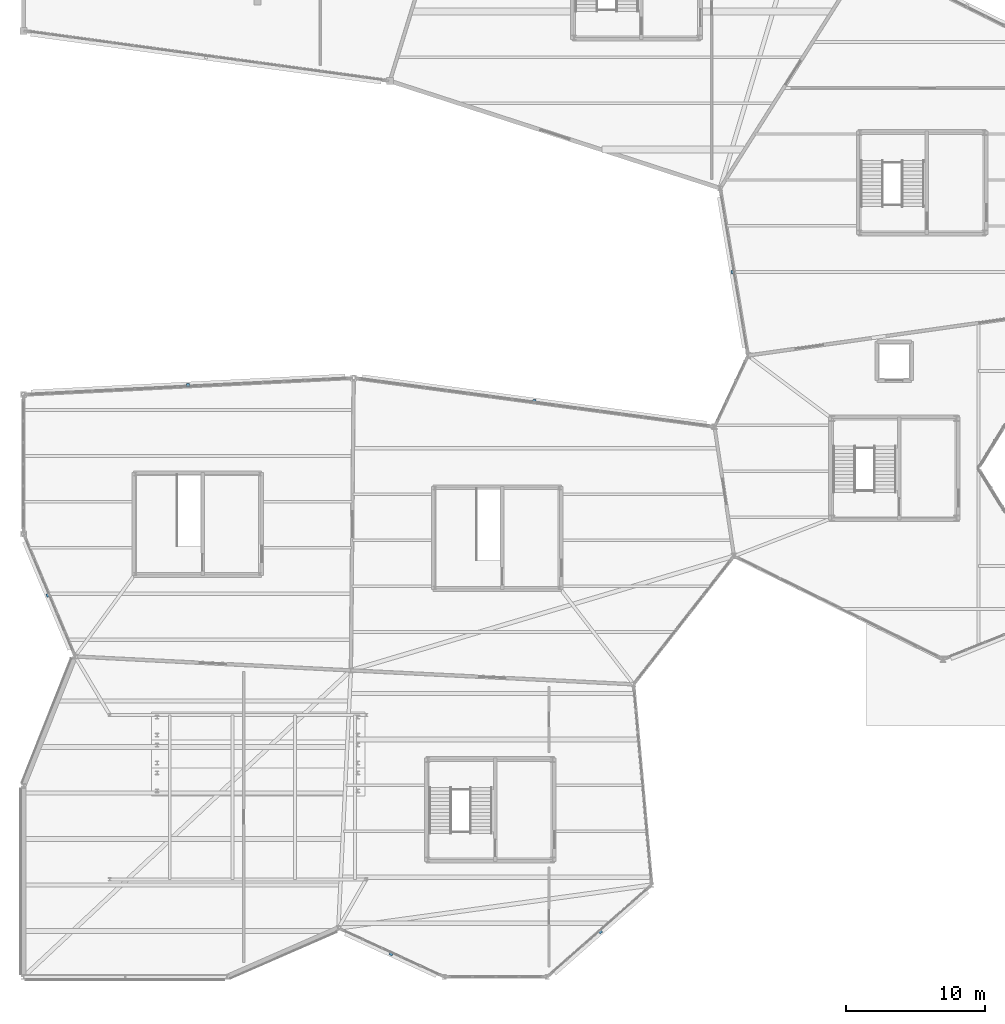
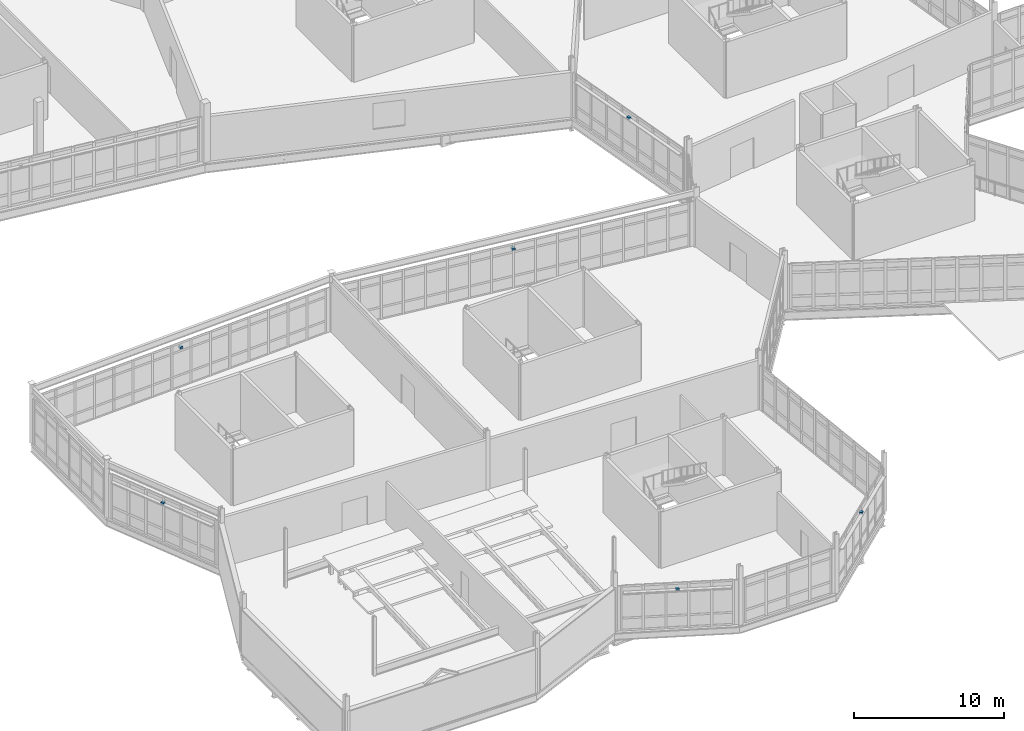
# One storey, part 122 of 134: 6 discrete accessories.
"""IFC4 building model written with IfcOpenShell, lengths in metres."""

from ifc_helpers import new_model, si_unit, direction, frame, origin, origin_2d, place, context, subcontext, project, spatial, rectangle, extrude, material, type_object, element, save


model = new_model("IFC4")

# Units and contexts
model_context = context("Model", 3, precision=1e-05, world=origin(), true_north=direction((0.0, 1.0)))
body_context = subcontext(model_context, "Body", "Model", "MODEL_VIEW")
ifc_project = project(units=[si_unit("LENGTHUNIT", "METRE"), si_unit("AREAUNIT", "SQUARE_METRE"), si_unit("VOLUMEUNIT", "CUBIC_METRE"), si_unit("PLANEANGLEUNIT", "RADIAN"), si_unit("MASSUNIT", "GRAM", prefix="KILO")], contexts=[model_context])

# Site, building, storey
site_placement = place(None, origin())
site = spatial("IfcSite", under=ifc_project, at=site_placement, CompositionType="ELEMENT")
building_placement = place(site_placement, origin())
building = spatial("IfcBuilding", under=site, at=building_placement, Name="Tameran Prism Museum", CompositionType="ELEMENT")
storey_placement = place(building_placement, frame((0.0, 0.0, 5.39990234375)))
storey = spatial("IfcBuildingStorey", under=building, at=storey_placement, Name="L01", CompositionType="ELEMENT", Elevation=5.39990234375)

# Discrete accessories
ifc_material = material(Name="Galvanized Steel Grade 350 (350 MPa)", Category="steel")
discrete_accessory_type = type_object("IfcDiscreteAccessoryType", Name="DA-BRK-STL", PredefinedType="BRACKET", material=ifc_material)
for number, where, z_axis, x_axis, name in (
    (1, (50.9208984375, 50.5869140625, 3.09033203125), (0.0, 0.0, 1.0), (-0.164359008451, 0.986400586142, 0.0), "Facade Sunshade Bracket BK-025"),
    (2, (26.39404296875, 1.6650390625, 3.09033203125), (0.0, 0.0, 1.0), (-0.908289258312, 0.418342710268, 0.0), "Facade Sunshade Bracket BK-032"),
    (3, (41.403076171875, 3.239990234375, 3.09033203125), (0.0, 0.0, 1.0), (-0.750687887408, -0.660657018202, 0.0), "Facade Sunshade Bracket BK-033"),
    (4, (11.81591796875, 42.47802734375, 3.09033203125), (0.0, 0.0, 1.0), (0.998719357184, 0.050592940077, 0.0), "Facade Sunshade Bracket BK-034"),
    (5, (1.764892578125, 27.39697265625, 3.09033203125), (0.0, 0.0, 1.0), (-0.387676476022, 0.921795503319, 0.0), "Facade Sunshade Bracket BK-035"),
    (6, (36.662109375, 41.3291015625, 3.09033203125), (0.0, 0.0, 1.0), (0.990983199715, -0.133986185418, 0.0), "Facade Sunshade Bracket BK-036"),
):
    element("IfcDiscreteAccessory", number, at=place(storey_placement, frame(where, z_axis=z_axis, x_axis=x_axis)), inside=storey, type_object=discrete_accessory_type, Name=name, PredefinedType="BRACKET", context=body_context, shape_type="SweptSolid", body=[
        extrude(rectangle(XDim=0.239990234375, YDim=0.239990234375, at=origin_2d()), origin(), (0.0, 0.0, 1.0), 0.159912109375),
    ])

save(model, "model.ifc")
